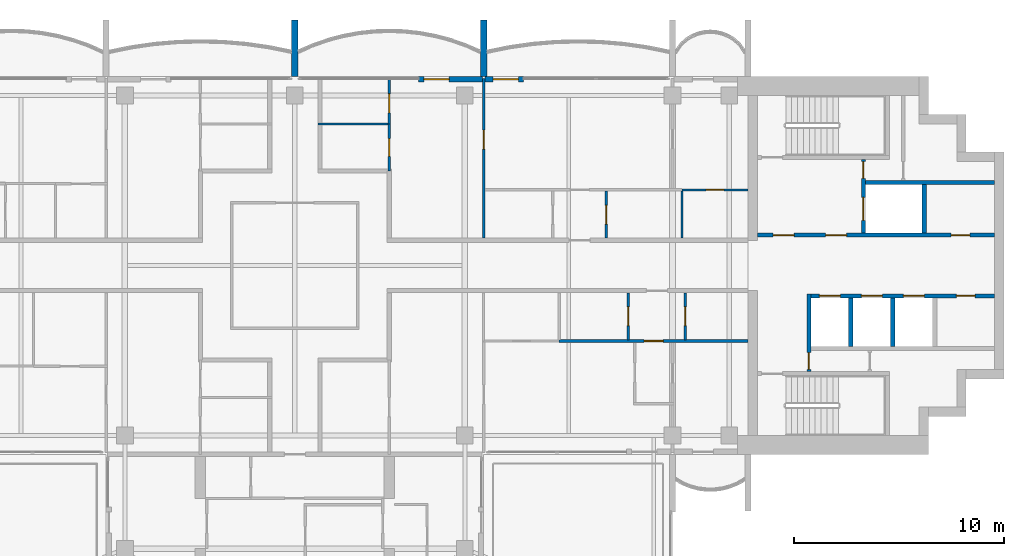
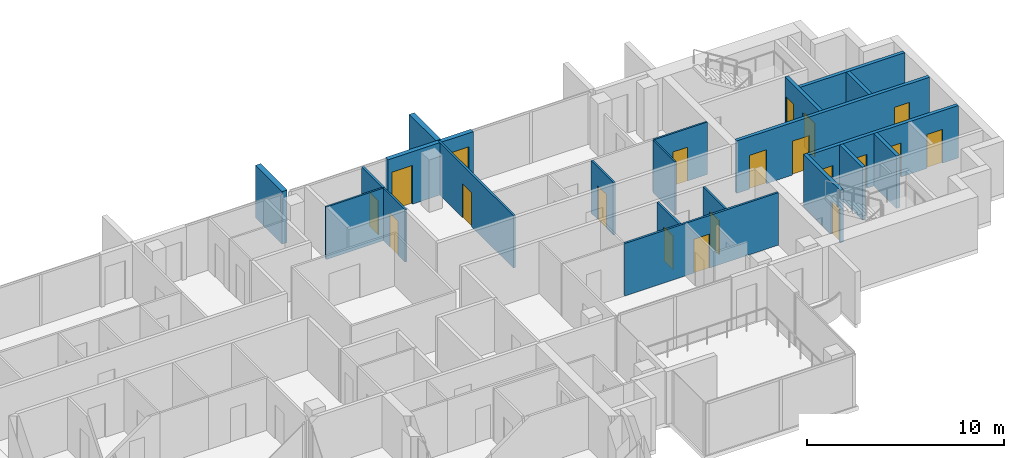
# One storey, part 11 of 16: 22 walls, 20 doors, 20 openings.
"""IFC4 building model written with IfcOpenShell, lengths in metres."""

from ifc_helpers import new_model, si_unit, direction, frame, frame_2d, origin, place, context, subcontext, project, spatial, rectangle, extrude, material, layer, layer_set, type_object, element, fill, save


model = new_model("IFC4")

# Units and contexts
model_context = context("Model", 3, precision=1e-05, world=origin(), true_north=direction((0.0, 1.0)))
body_context = subcontext(model_context, "Body", "Model", "MODEL_VIEW")
ifc_project = project(units=[si_unit("LENGTHUNIT", "METRE"), si_unit("AREAUNIT", "SQUARE_METRE"), si_unit("VOLUMEUNIT", "CUBIC_METRE"), si_unit("PLANEANGLEUNIT", "RADIAN"), si_unit("MASSUNIT", "GRAM", prefix="KILO")], contexts=[model_context])

# Site, building, storey
site_placement = place(None, origin())
site = spatial("IfcSite", under=ifc_project, at=site_placement, CompositionType="ELEMENT")
building_placement = place(site_placement, origin())
building = spatial("IfcBuilding", under=site, at=building_placement, Name="Perihelion Cross Residences", CompositionType="ELEMENT")
storey_placement = place(building_placement, frame((0.0, 0.0, 257.0)))
storey = spatial("IfcBuildingStorey", under=building, at=storey_placement, Name="L65", CompositionType="ELEMENT", Elevation=257.0)

# Wall, opening, door
ifc_material_1 = material(Name="Concrete C30/37, bronze-clad", Category="concrete")
ifc_layer_1 = layer(ifc_material_1, 0.25)
ifc_layer_set_1 = layer_set([ifc_layer_1], Name="Bronze-clad pier wall 250")
wall_type_1 = type_object("IfcWallType", Name="Bronze-clad pier wall 250", PredefinedType="SOLIDWALL", material=ifc_layer_set_1)
wall_1_placement = place(storey_placement, frame((10.89990234375, 8.875, 0.0), z_axis=(0.0, 0.0, 1.0), x_axis=(-1.0, 0.0, 0.0)))
wall_1 = element("IfcWall", 1, at=wall_1_placement, inside=storey, type_object=wall_type_1, Name="Wall FW1 L65 east side north bay 2 pier", PredefinedType="SOLIDWALL", context=body_context, shape_type="SweptSolid", body=[
    extrude(rectangle(XDim=1.83984375, YDim=0.25, at=frame_2d((0.919921875, 0.0))), origin(), (0.0, 0.0, 1.0), 3.25),
])
opening_1_placement = place(wall_1_placement, frame((0.25, 0.0, 0.0)))
opening_1 = element("IfcOpeningElement", 2, at=opening_1_placement, cuts=wall_1, Name="Opening L65.E02", PredefinedType="OPENING", context=body_context, shape_type="SweptSolid", body=[
    extrude(rectangle(XDim=1.199951171875, YDim=2.39990234375, at=frame_2d((0.60009765625, 1.199951171875))), frame((0.0, 0.135009765625, 0.0), z_axis=(0.0, -1.0, 0.0), x_axis=(1.0, 0.0, 0.0)), (0.0, 0.0, 1.0), 0.27001953125),
])
ifc_material_2 = material(Name="Bronze anodised aluminium, glazed", Category="aluminium")
door_type_1 = type_object("IfcDoorType", Name="Balcony door 1200 x 2400", OperationType="NOTDEFINED", PredefinedType="DOOR", material=ifc_material_2)
door_1_placement = place(opening_1_placement, origin())
door_1 = element("IfcDoor", 3, at=door_1_placement, inside=storey, type_object=door_type_1, Name="Door L65.E02 east side north bay 2", OperationType="SINGLE_SWING_RIGHT", OverallHeight=2.39990234375, OverallWidth=1.199951171875, PredefinedType="DOOR", context=body_context, shape_type="SweptSolid", body=[
    extrude(rectangle(XDim=1.199951171875, YDim=2.39990234375, at=frame_2d((0.60009765625, 1.199951171875))), frame((0.0, 0.02490234375, 0.0), z_axis=(0.0, -1.0, 0.0), x_axis=(1.0, 0.0, 0.0)), (0.0, 0.0, 1.0), 0.050048828125),
])
fill(opening_1, door_1)

wall_2_placement = place(storey_placement, frame((8.93994140625, 8.875, 0.0), z_axis=(0.0, 0.0, 1.0), x_axis=(-1.0, 0.0, 0.0)))
wall_2 = element("IfcWall", 4, at=wall_2_placement, inside=storey, type_object=wall_type_1, Name="Wall FW1 L65 north side east bay 1 pier", PredefinedType="SOLIDWALL", context=body_context, shape_type="SweptSolid", body=[
    extrude(rectangle(XDim=3.0400390625, YDim=0.25, at=frame_2d((1.52001953125, 0.0))), origin(), (0.0, 0.0, 1.0), 3.25),
])
opening_2_placement = place(wall_2_placement, frame((1.590087890625, 0.0, 0.0)))
opening_2 = element("IfcOpeningElement", 5, at=opening_2_placement, cuts=wall_2, Name="Opening L65.E03", PredefinedType="OPENING", context=body_context, shape_type="SweptSolid", body=[
    extrude(rectangle(XDim=1.199951171875, YDim=2.39990234375, at=frame_2d((0.60009765625, 1.199951171875))), frame((0.0, 0.135009765625, 0.0), z_axis=(0.0, -1.0, 0.0), x_axis=(1.0, 0.0, 0.0)), (0.0, 0.0, 1.0), 0.27001953125),
])
door_2_placement = place(opening_2_placement, origin())
door_2 = element("IfcDoor", 6, at=door_2_placement, inside=storey, type_object=door_type_1, Name="Door L65.E03 north side east bay 1", OperationType="SINGLE_SWING_LEFT", OverallHeight=2.39990234375, OverallWidth=1.199951171875, PredefinedType="DOOR", context=body_context, shape_type="SweptSolid", body=[
    extrude(rectangle(XDim=1.199951171875, YDim=2.39990234375, at=frame_2d((0.60009765625, 1.199951171875))), frame((0.0, 0.02490234375, 0.0), z_axis=(0.0, -1.0, 0.0), x_axis=(1.0, 0.0, 0.0)), (0.0, 0.0, 1.0), 0.050048828125),
])
fill(opening_2, door_2)

ifc_material_3 = material(Name="Concrete C50/60", Category="concrete")
ifc_layer_2 = layer(ifc_material_3, 0.199951171875)
ifc_layer_set_2 = layer_set([ifc_layer_2], Name="Lobby wall 200")
wall_type_2 = type_object("IfcWallType", Name="Lobby wall 200", PredefinedType="SOLIDWALL", material=ifc_layer_set_2)
wall_3_placement = place(storey_placement, frame((24.5, -5.050048828125, 0.0), z_axis=(0.0, 0.0, 1.0), x_axis=(0.0, 1.0, 0.0)))
wall_3 = element("IfcWall", 7, at=wall_3_placement, inside=storey, type_object=wall_type_2, Name="East core lobby wall", PredefinedType="SOLIDWALL", context=body_context, shape_type="SweptSolid", body=[
    extrude(rectangle(XDim=3.699951171875, YDim=0.199951171875, at=frame_2d((1.85009765625, 0.0))), origin(), (0.0, 0.0, 1.0), 3.25),
])
opening_3_placement = place(wall_3_placement, frame((0.10009765625, 0.0, 0.0)))
opening_3 = element("IfcOpeningElement", 8, at=opening_3_placement, cuts=wall_3, Name="Opening L65.C08", PredefinedType="OPENING", context=body_context, shape_type="SweptSolid", body=[
    extrude(rectangle(XDim=0.800048828125, YDim=2.10009765625, at=frame_2d((0.39990234375, 1.050048828125))), frame((0.0, 0.10986328125, 0.0), z_axis=(0.0, -1.0, 0.0), x_axis=(1.0, 0.0, 0.0)), (0.0, 0.0, 1.0), 0.219970703125),
])
ifc_material_4 = material(Name="Steel, powder coated", Category="steel")
door_type_2 = type_object("IfcDoorType", Name="Riser door 800", OperationType="SINGLE_SWING_LEFT", PredefinedType="DOOR", material=ifc_material_4)
door_3_placement = place(opening_3_placement, origin())
door_3 = element("IfcDoor", 9, at=door_3_placement, inside=storey, type_object=door_type_2, Name="East core riser door", OperationType="SINGLE_SWING_LEFT", OverallHeight=2.10009765625, OverallWidth=0.800048828125, PredefinedType="DOOR", context=body_context, shape_type="SweptSolid", body=[
    extrude(rectangle(XDim=0.800048828125, YDim=2.10009765625, at=frame_2d((0.39990234375, 1.050048828125))), frame((0.0, 0.02490234375, 0.0), z_axis=(0.0, -1.0, 0.0), x_axis=(1.0, 0.0, 0.0)), (0.0, 0.0, 1.0), 0.050048828125),
])
fill(opening_3, door_3)

ifc_material_5 = material(Name="Plasterboard partition")
ifc_layer_3 = layer(ifc_material_5, 0.1201171875)
ifc_layer_set_3 = layer_set([ifc_layer_3], Name="Partition wall 120")
wall_type_3 = type_object("IfcWallType", Name="Partition wall 120", PredefinedType="PARTITIONING", material=ifc_layer_set_3)
wall_4_placement = place(storey_placement, frame((9.0, 1.300048828125, 0.0), z_axis=(0.0, 0.0, 1.0), x_axis=(0.0, 1.0, 0.0)))
wall_4 = element("IfcWall", 10, at=wall_4_placement, inside=storey, type_object=wall_type_3, Name="Partition L65 W024", PredefinedType="PARTITIONING", context=body_context, shape_type="SweptSolid", body=[
    extrude(rectangle(XDim=7.619873046875, YDim=0.1201171875, at=frame_2d((3.81005859375, 0.0))), origin(), (0.0, 0.0, 1.0), 3.25),
])
opening_4_placement = place(wall_4_placement, frame((4.25, 0.0, 0.0)))
opening_4 = element("IfcOpeningElement", 11, at=opening_4_placement, cuts=wall_4, Name="Opening L65.A04", PredefinedType="OPENING", context=body_context, shape_type="SweptSolid", body=[
    extrude(rectangle(XDim=0.89990234375, YDim=2.10009765625, at=frame_2d((0.449951171875, 1.050048828125))), frame((0.0, 0.070068359375, 0.0), z_axis=(0.0, -1.0, 0.0), x_axis=(1.0, 0.0, 0.0)), (0.0, 0.0, 1.0), 0.14013671875),
])
ifc_material_6 = material(Name="Timber door leaf", Category="wood")
door_type_3 = type_object("IfcDoorType", Name="Interior room door 900 x 2100", OperationType="SINGLE_SWING_LEFT", PredefinedType="DOOR", material=ifc_material_6)
door_4_placement = place(opening_4_placement, origin())
door_4 = element("IfcDoor", 12, at=door_4_placement, inside=storey, type_object=door_type_3, Name="Door L65.A04", OperationType="SINGLE_SWING_RIGHT", OverallHeight=2.10009765625, OverallWidth=0.89990234375, PredefinedType="DOOR", context=body_context, shape_type="SweptSolid", body=[
    extrude(rectangle(XDim=0.89990234375, YDim=2.10009765625, at=frame_2d((0.449951171875, 1.050048828125))), frame((0.0, 0.02490234375, 0.0), z_axis=(0.0, -1.0, 0.0), x_axis=(1.0, 0.0, 0.0)), (0.0, 0.0, 1.0), 0.050048828125),
])
fill(opening_4, door_4)

wall_5_placement = place(storey_placement, frame((14.85009765625, 3.5400390625, 0.0), z_axis=(0.0, 0.0, 1.0), x_axis=(0.0, -1.0, 0.0)))
wall_5 = element("IfcWall", 13, at=wall_5_placement, inside=storey, type_object=wall_type_3, Name="Partition L65 W025", PredefinedType="PARTITIONING", context=body_context, shape_type="SweptSolid", body=[
    extrude(rectangle(XDim=2.239990234375, YDim=0.1201171875, at=frame_2d((1.1201171875, 0.0))), origin(), (0.0, 0.0, 1.0), 3.25),
])
opening_5_placement = place(wall_5_placement, frame((0.669921875, 0.0, 0.0)))
opening_5 = element("IfcOpeningElement", 14, at=opening_5_placement, cuts=wall_5, Name="Opening L65.A09", PredefinedType="OPENING", context=body_context, shape_type="SweptSolid", body=[
    extrude(rectangle(XDim=0.89990234375, YDim=2.10009765625, at=frame_2d((0.449951171875, 1.050048828125))), frame((0.0, 0.070068359375, 0.0), z_axis=(0.0, -1.0, 0.0), x_axis=(1.0, 0.0, 0.0)), (0.0, 0.0, 1.0), 0.14013671875),
])
door_5_placement = place(opening_5_placement, origin())
door_5 = element("IfcDoor", 15, at=door_5_placement, inside=storey, type_object=door_type_3, Name="Door L65.A09", OperationType="SINGLE_SWING_LEFT", OverallHeight=2.10009765625, OverallWidth=0.89990234375, PredefinedType="DOOR", context=body_context, shape_type="SweptSolid", body=[
    extrude(rectangle(XDim=0.89990234375, YDim=2.10009765625, at=frame_2d((0.449951171875, 1.050048828125))), frame((0.0, 0.02490234375, 0.0), z_axis=(0.0, -1.0, 0.0), x_axis=(1.0, 0.0, 0.0)), (0.0, 0.0, 1.0), 0.050048828125),
])
fill(opening_5, door_5)

wall_6_placement = place(storey_placement, frame((4.5, 6.75, 0.0), z_axis=(0.0, 0.0, 1.0), x_axis=(0.0, 1.0, 0.0)))
wall_6 = element("IfcWall", 16, at=wall_6_placement, inside=storey, type_object=wall_type_3, Name="Partition L65 W030", PredefinedType="PARTITIONING", context=body_context, shape_type="SweptSolid", body=[
    extrude(rectangle(XDim=2.169921875, YDim=0.1201171875, at=frame_2d((1.0849609375, 0.0))), origin(), (0.0, 0.0, 1.0), 3.25),
])
opening_6_placement = place(wall_6_placement, frame((0.52490234375, 0.0, 0.0)))
opening_6 = element("IfcOpeningElement", 17, at=opening_6_placement, cuts=wall_6, Name="Opening L65.A06", PredefinedType="OPENING", context=body_context, shape_type="SweptSolid", body=[
    extrude(rectangle(XDim=0.89990234375, YDim=2.10009765625, at=frame_2d((0.449951171875, 1.050048828125))), frame((0.0, 0.070068359375, 0.0), z_axis=(0.0, -1.0, 0.0), x_axis=(1.0, 0.0, 0.0)), (0.0, 0.0, 1.0), 0.14013671875),
])
door_6_placement = place(opening_6_placement, origin())
door_6 = element("IfcDoor", 18, at=door_6_placement, inside=storey, type_object=door_type_3, Name="Door L65.A06", OperationType="SINGLE_SWING_RIGHT", OverallHeight=2.10009765625, OverallWidth=0.89990234375, PredefinedType="DOOR", context=body_context, shape_type="SweptSolid", body=[
    extrude(rectangle(XDim=0.89990234375, YDim=2.10009765625, at=frame_2d((0.449951171875, 1.050048828125))), frame((0.0, 0.02490234375, 0.0), z_axis=(0.0, -1.0, 0.0), x_axis=(1.0, 0.0, 0.0)), (0.0, 0.0, 1.0), 0.050048828125),
])
fill(opening_6, door_6)

wall_7_placement = place(storey_placement, frame((15.89990234375, -1.300048828125, 0.0), z_axis=(0.0, 0.0, 1.0), x_axis=(0.0, -1.0, 0.0)))
wall_7 = element("IfcWall", 19, at=wall_7_placement, inside=storey, type_object=wall_type_3, Name="Partition L65 W035", PredefinedType="PARTITIONING", context=body_context, shape_type="SweptSolid", body=[
    extrude(rectangle(XDim=2.239990234375, YDim=0.1201171875, at=frame_2d((1.1201171875, 0.0))), origin(), (0.0, 0.0, 1.0), 3.25),
])
opening_7_placement = place(wall_7_placement, frame((0.669921875, 0.0, 0.0)))
opening_7 = element("IfcOpeningElement", 20, at=opening_7_placement, cuts=wall_7, Name="Opening L65.A12", PredefinedType="OPENING", context=body_context, shape_type="SweptSolid", body=[
    extrude(rectangle(XDim=0.89990234375, YDim=2.10009765625, at=frame_2d((0.449951171875, 1.050048828125))), frame((0.0, 0.070068359375, 0.0), z_axis=(0.0, -1.0, 0.0), x_axis=(1.0, 0.0, 0.0)), (0.0, 0.0, 1.0), 0.14013671875),
])
door_7_placement = place(opening_7_placement, origin())
door_7 = element("IfcDoor", 21, at=door_7_placement, inside=storey, type_object=door_type_3, Name="Door L65.A12", OperationType="SINGLE_SWING_LEFT", OverallHeight=2.10009765625, OverallWidth=0.89990234375, PredefinedType="DOOR", context=body_context, shape_type="SweptSolid", body=[
    extrude(rectangle(XDim=0.89990234375, YDim=2.10009765625, at=frame_2d((0.449951171875, 1.050048828125))), frame((0.0, 0.02490234375, 0.0), z_axis=(0.0, -1.0, 0.0), x_axis=(1.0, 0.0, 0.0)), (0.0, 0.0, 1.0), 0.050048828125),
])
fill(opening_7, door_7)

wall_8_placement = place(storey_placement, frame((21.60009765625, -3.60009765625, 0.0), z_axis=(0.0, 0.0, 1.0), x_axis=(-1.0, 0.0, 0.0)))
wall_8 = element("IfcWall", 22, at=wall_8_placement, inside=storey, type_object=wall_type_3, Name="Partition L65 W036", PredefinedType="PARTITIONING", context=body_context, shape_type="SweptSolid", body=[
    extrude(rectangle(XDim=9.0, YDim=0.1201171875, at=frame_2d((4.5, 0.0))), origin(), (0.0, 0.0, 1.0), 3.25),
])
opening_8_placement = place(wall_8_placement, frame((4.050048828125, 0.0, 0.0)))
opening_8 = element("IfcOpeningElement", 23, at=opening_8_placement, cuts=wall_8, Name="Opening L65.A10", PredefinedType="OPENING", context=body_context, shape_type="SweptSolid", body=[
    extrude(rectangle(XDim=0.89990234375, YDim=2.10009765625, at=frame_2d((0.449951171875, 1.050048828125))), frame((0.0, 0.070068359375, 0.0), z_axis=(0.0, -1.0, 0.0), x_axis=(1.0, 0.0, 0.0)), (0.0, 0.0, 1.0), 0.14013671875),
])
door_8_placement = place(opening_8_placement, origin())
door_8 = element("IfcDoor", 24, at=door_8_placement, inside=storey, type_object=door_type_3, Name="Door L65.A10", OperationType="SINGLE_SWING_RIGHT", OverallHeight=2.10009765625, OverallWidth=0.89990234375, PredefinedType="DOOR", context=body_context, shape_type="SweptSolid", body=[
    extrude(rectangle(XDim=0.89990234375, YDim=2.10009765625, at=frame_2d((0.449951171875, 1.050048828125))), frame((0.0, 0.02490234375, 0.0), z_axis=(0.0, -1.0, 0.0), x_axis=(1.0, 0.0, 0.0)), (0.0, 0.0, 1.0), 0.050048828125),
])
fill(opening_8, door_8)

wall_9_placement = place(storey_placement, frame((18.60009765625, -1.300048828125, 0.0), z_axis=(0.0, 0.0, 1.0), x_axis=(0.0, -1.0, 0.0)))
wall_9 = element("IfcWall", 25, at=wall_9_placement, inside=storey, type_object=wall_type_3, Name="Partition L65 W037", PredefinedType="PARTITIONING", context=body_context, shape_type="SweptSolid", body=[
    extrude(rectangle(XDim=2.239990234375, YDim=0.1201171875, at=frame_2d((1.1201171875, 0.0))), origin(), (0.0, 0.0, 1.0), 3.25),
])
opening_9_placement = place(wall_9_placement, frame((0.669921875, 0.0, 0.0)))
opening_9 = element("IfcOpeningElement", 26, at=opening_9_placement, cuts=wall_9, Name="Opening L65.A11", PredefinedType="OPENING", context=body_context, shape_type="SweptSolid", body=[
    extrude(rectangle(XDim=0.89990234375, YDim=2.10009765625, at=frame_2d((0.449951171875, 1.050048828125))), frame((0.0, 0.070068359375, 0.0), z_axis=(0.0, -1.0, 0.0), x_axis=(1.0, 0.0, 0.0)), (0.0, 0.0, 1.0), 0.14013671875),
])
door_9_placement = place(opening_9_placement, origin())
door_9 = element("IfcDoor", 27, at=door_9_placement, inside=storey, type_object=door_type_3, Name="Door L65.A11", OperationType="SINGLE_SWING_LEFT", OverallHeight=2.10009765625, OverallWidth=0.89990234375, PredefinedType="DOOR", context=body_context, shape_type="SweptSolid", body=[
    extrude(rectangle(XDim=0.89990234375, YDim=2.10009765625, at=frame_2d((0.449951171875, 1.050048828125))), frame((0.0, 0.02490234375, 0.0), z_axis=(0.0, -1.0, 0.0), x_axis=(1.0, 0.0, 0.0)), (0.0, 0.0, 1.0), 0.050048828125),
])
fill(opening_9, door_9)

# Walls
ifc_material_7 = material(Name="Precast concrete C50/60", Category="concrete")
ifc_layer_4 = layer(ifc_material_7, 0.300048828125)
ifc_layer_set_4 = layer_set([ifc_layer_4], Name="Precast concrete C50/60 blade wall 300")
wall_type_4 = type_object("IfcWallType", Name="Precast concrete C50/60 blade wall 300", PredefinedType="SOLIDWALL", material=ifc_layer_set_4)
for number, where, z_axis, x_axis, name in (
    (28, (0.0, 9.0, 0.0), (0.0, 0.0, 1.0), (0.0, 1.0, 0.0), "Wall BL1 L65 no. 9"),
    (29, (9.0, 9.0, 0.0), (0.0, 0.0, 1.0), (0.0, 1.0, 0.0), "Wall BL1 L65 no. 16"),
):
    element("IfcWall", number, at=place(storey_placement, frame(where, z_axis=z_axis, x_axis=x_axis)), inside=storey, type_object=wall_type_4, Name=name, PredefinedType="SOLIDWALL", context=body_context, shape_type="SweptSolid", body=[
        extrude(rectangle(XDim=2.699951171875, YDim=0.300048828125, at=frame_2d((1.35009765625, 0.0))), origin(), (0.0, 0.0, 1.0), 3.25),
    ])

# Wall, openings, doors
ifc_material_8 = material(Name="Concrete C50/60", Category="concrete")
ifc_layer_5 = layer(ifc_material_8, 0.199951171875)
ifc_layer_set_5 = layer_set([ifc_layer_5], Name="Shaft wall 200")
wall_type_5 = type_object("IfcWallType", Name="Shaft wall 200", PredefinedType="SOLIDWALL", material=ifc_layer_set_5)
wall_10_placement = place(storey_placement, frame((22.050048828125, 1.449951171875, 0.0), z_axis=(0.0, 0.0, 1.0), x_axis=(1.0, 0.0, 0.0)))
wall_10 = element("IfcWall", 30, at=wall_10_placement, inside=storey, type_object=wall_type_5, Name="East core shaft wall", PredefinedType="SOLIDWALL", context=body_context, shape_type="SweptSolid", body=[
    extrude(rectangle(XDim=11.300048828125, YDim=0.199951171875, at=frame_2d((5.64990234375, 0.0))), origin(), (0.0, 0.0, 1.0), 3.25),
])
opening_10_placement = place(wall_10_placement, frame((0.75, 0.0, 0.0)))
opening_10 = element("IfcOpeningElement", 31, at=opening_10_placement, cuts=wall_10, Name="Opening L65.C07", PredefinedType="OPENING", context=body_context, shape_type="SweptSolid", body=[
    extrude(rectangle(XDim=1.0, YDim=2.10009765625, at=frame_2d((0.5, 1.050048828125))), frame((0.0, 0.10986328125, 0.0), z_axis=(0.0, -1.0, 0.0), x_axis=(1.0, 0.0, 0.0)), (0.0, 0.0, 1.0), 0.219970703125),
])
opening_11_placement = place(wall_10_placement, frame((3.25, 0.0, 0.0)))
opening_11 = element("IfcOpeningElement", 32, at=opening_11_placement, cuts=wall_10, Name="Opening L65.C09", PredefinedType="OPENING", context=body_context, shape_type="SweptSolid", body=[
    extrude(rectangle(XDim=1.0, YDim=2.10009765625, at=frame_2d((0.5, 1.050048828125))), frame((0.0, 0.10986328125, 0.0), z_axis=(0.0, -1.0, 0.0), x_axis=(1.0, 0.0, 0.0)), (0.0, 0.0, 1.0), 0.219970703125),
])
opening_12_placement = place(wall_10_placement, frame((9.22509765625, 0.0, 0.0)))
opening_12 = element("IfcOpeningElement", 33, at=opening_12_placement, cuts=wall_10, Name="Opening L65.C13", PredefinedType="OPENING", context=body_context, shape_type="SweptSolid", body=[
    extrude(rectangle(XDim=0.89990234375, YDim=2.10009765625, at=frame_2d((0.449951171875, 1.050048828125))), frame((0.0, 0.10986328125, 0.0), z_axis=(0.0, -1.0, 0.0), x_axis=(1.0, 0.0, 0.0)), (0.0, 0.0, 1.0), 0.219970703125),
])
ifc_material_9 = material(Name="Steel, powder coated", Category="steel")
door_type_4 = type_object("IfcDoorType", Name="Lobby door 1000", OperationType="SINGLE_SWING_LEFT", PredefinedType="DOOR", material=ifc_material_9)
door_10_placement = place(opening_10_placement, origin())
door_10 = element("IfcDoor", 34, at=door_10_placement, inside=storey, type_object=door_type_4, Name="East core firefighting lobby door", OperationType="SINGLE_SWING_LEFT", OverallHeight=2.10009765625, OverallWidth=1.0, PredefinedType="DOOR", context=body_context, shape_type="SweptSolid", body=[
    extrude(rectangle(XDim=1.0, YDim=2.10009765625, at=frame_2d((0.5, 1.050048828125))), frame((0.0, 0.02490234375, 0.0), z_axis=(0.0, -1.0, 0.0), x_axis=(1.0, 0.0, 0.0)), (0.0, 0.0, 1.0), 0.050048828125),
])
fill(opening_10, door_10)
door_11_placement = place(opening_11_placement, origin())
door_11 = element("IfcDoor", 35, at=door_11_placement, inside=storey, type_object=door_type_4, Name="East core firefighting lobby door", OperationType="SINGLE_SWING_LEFT", OverallHeight=2.10009765625, OverallWidth=1.0, PredefinedType="DOOR", context=body_context, shape_type="SweptSolid", body=[
    extrude(rectangle(XDim=1.0, YDim=2.10009765625, at=frame_2d((0.5, 1.050048828125))), frame((0.0, 0.02490234375, 0.0), z_axis=(0.0, -1.0, 0.0), x_axis=(1.0, 0.0, 0.0)), (0.0, 0.0, 1.0), 0.050048828125),
])
fill(opening_11, door_11)
ifc_material_10 = material(Name="Steel, powder coated", Category="steel")
door_type_5 = type_object("IfcDoorType", Name="Service room door 900", OperationType="SINGLE_SWING_LEFT", PredefinedType="DOOR", material=ifc_material_10)
door_12_placement = place(opening_12_placement, origin())
door_12 = element("IfcDoor", 36, at=door_12_placement, inside=storey, type_object=door_type_5, Name="East core service room door", OperationType="SINGLE_SWING_LEFT", OverallHeight=2.10009765625, OverallWidth=0.89990234375, PredefinedType="DOOR", context=body_context, shape_type="SweptSolid", body=[
    extrude(rectangle(XDim=0.89990234375, YDim=2.10009765625, at=frame_2d((0.449951171875, 1.050048828125))), frame((0.0, 0.02490234375, 0.0), z_axis=(0.0, -1.0, 0.0), x_axis=(1.0, 0.0, 0.0)), (0.0, 0.0, 1.0), 0.050048828125),
])
fill(opening_12, door_12)

wall_11_placement = place(storey_placement, frame((24.60009765625, -1.449951171875, 0.0), z_axis=(0.0, 0.0, 1.0), x_axis=(1.0, 0.0, 0.0)))
wall_11 = element("IfcWall", 37, at=wall_11_placement, inside=storey, type_object=wall_type_5, Name="East core shaft wall", PredefinedType="SOLIDWALL", context=body_context, shape_type="SweptSolid", body=[
    extrude(rectangle(XDim=8.75, YDim=0.199951171875, at=frame_2d((4.375, 0.0))), origin(), (0.0, 0.0, 1.0), 3.25),
])
opening_13_placement = place(wall_11_placement, frame((0.39990234375, 0.0, 0.0)))
opening_13 = element("IfcOpeningElement", 38, at=opening_13_placement, cuts=wall_11, Name="Opening L65.C01", PredefinedType="OPENING", context=body_context, shape_type="SweptSolid", body=[
    extrude(rectangle(XDim=1.0, YDim=2.10009765625, at=frame_2d((0.5, 1.050048828125))), frame((0.0, 0.10986328125, 0.0), z_axis=(0.0, -1.0, 0.0), x_axis=(1.0, 0.0, 0.0)), (0.0, 0.0, 1.0), 0.219970703125),
])
opening_14_placement = place(wall_11_placement, frame((2.39990234375, 0.0, 0.0)))
opening_14 = element("IfcOpeningElement", 39, at=opening_14_placement, cuts=wall_11, Name="Opening L65.C03", PredefinedType="OPENING", context=body_context, shape_type="SweptSolid", body=[
    extrude(rectangle(XDim=1.0, YDim=2.10009765625, at=frame_2d((0.5, 1.050048828125))), frame((0.0, 0.10986328125, 0.0), z_axis=(0.0, -1.0, 0.0), x_axis=(1.0, 0.0, 0.0)), (0.0, 0.0, 1.0), 0.219970703125),
])
opening_15_placement = place(wall_11_placement, frame((4.39990234375, 0.0, 0.0)))
opening_15 = element("IfcOpeningElement", 40, at=opening_15_placement, cuts=wall_11, Name="Opening L65.C04", PredefinedType="OPENING", context=body_context, shape_type="SweptSolid", body=[
    extrude(rectangle(XDim=1.0, YDim=2.10009765625, at=frame_2d((0.5, 1.050048828125))), frame((0.0, 0.10986328125, 0.0), z_axis=(0.0, -1.0, 0.0), x_axis=(1.0, 0.0, 0.0)), (0.0, 0.0, 1.0), 0.219970703125),
])
opening_16_placement = place(wall_11_placement, frame((6.925048828125, 0.0, 0.0)))
opening_16 = element("IfcOpeningElement", 41, at=opening_16_placement, cuts=wall_11, Name="Opening L65.C14", PredefinedType="OPENING", context=body_context, shape_type="SweptSolid", body=[
    extrude(rectangle(XDim=0.89990234375, YDim=2.10009765625, at=frame_2d((0.449951171875, 1.050048828125))), frame((0.0, 0.10986328125, 0.0), z_axis=(0.0, -1.0, 0.0), x_axis=(1.0, 0.0, 0.0)), (0.0, 0.0, 1.0), 0.219970703125),
])
ifc_material_11 = material(Name="Stainless steel", Category="steel")
door_type_6 = type_object("IfcDoorType", Name="Landing door 1000", OperationType="DOUBLE_DOOR_SLIDING", PredefinedType="DOOR", material=ifc_material_11)
door_13_placement = place(opening_13_placement, origin())
door_13 = element("IfcDoor", 42, at=door_13_placement, inside=storey, type_object=door_type_6, Name="Landing door, East core high-rise lift 1", OperationType="DOUBLE_DOOR_SLIDING", OverallHeight=2.10009765625, OverallWidth=1.0, PredefinedType="DOOR", context=body_context, shape_type="SweptSolid", body=[
    extrude(rectangle(XDim=1.0, YDim=2.10009765625, at=frame_2d((0.5, 1.050048828125))), frame((0.0, 0.02490234375, 0.0), z_axis=(0.0, -1.0, 0.0), x_axis=(1.0, 0.0, 0.0)), (0.0, 0.0, 1.0), 0.050048828125),
])
fill(opening_13, door_13)
door_14_placement = place(opening_14_placement, origin())
door_14 = element("IfcDoor", 43, at=door_14_placement, inside=storey, type_object=door_type_6, Name="Landing door, East core high-rise lift 2", OperationType="DOUBLE_DOOR_SLIDING", OverallHeight=2.10009765625, OverallWidth=1.0, PredefinedType="DOOR", context=body_context, shape_type="SweptSolid", body=[
    extrude(rectangle(XDim=1.0, YDim=2.10009765625, at=frame_2d((0.5, 1.050048828125))), frame((0.0, 0.02490234375, 0.0), z_axis=(0.0, -1.0, 0.0), x_axis=(1.0, 0.0, 0.0)), (0.0, 0.0, 1.0), 0.050048828125),
])
fill(opening_14, door_14)
door_15_placement = place(opening_15_placement, origin())
door_15 = element("IfcDoor", 44, at=door_15_placement, inside=storey, type_object=door_type_6, Name="Landing door, East core high-rise lift 3", OperationType="DOUBLE_DOOR_SLIDING", OverallHeight=2.10009765625, OverallWidth=1.0, PredefinedType="DOOR", context=body_context, shape_type="SweptSolid", body=[
    extrude(rectangle(XDim=1.0, YDim=2.10009765625, at=frame_2d((0.5, 1.050048828125))), frame((0.0, 0.02490234375, 0.0), z_axis=(0.0, -1.0, 0.0), x_axis=(1.0, 0.0, 0.0)), (0.0, 0.0, 1.0), 0.050048828125),
])
fill(opening_15, door_15)
door_16_placement = place(opening_16_placement, origin())
door_16 = element("IfcDoor", 45, at=door_16_placement, inside=storey, type_object=door_type_5, Name="East core service room door", OperationType="SINGLE_SWING_LEFT", OverallHeight=2.10009765625, OverallWidth=0.89990234375, PredefinedType="DOOR", context=body_context, shape_type="SweptSolid", body=[
    extrude(rectangle(XDim=0.89990234375, YDim=2.10009765625, at=frame_2d((0.449951171875, 1.050048828125))), frame((0.0, 0.02490234375, 0.0), z_axis=(0.0, -1.0, 0.0), x_axis=(1.0, 0.0, 0.0)), (0.0, 0.0, 1.0), 0.050048828125),
])
fill(opening_16, door_16)

# Wall
wall_12_placement = place(storey_placement, frame((27.199951171875, 3.949951171875, 0.0), z_axis=(0.0, 0.0, 1.0), x_axis=(1.0, 0.0, 0.0)))
element("IfcWall", 46, at=wall_12_placement, inside=storey, type_object=wall_type_5, Name="East core shaft wall", PredefinedType="SOLIDWALL", context=body_context, shape_type="SweptSolid", body=[
    extrude(rectangle(XDim=6.150146484375, YDim=0.199951171875, at=frame_2d((3.0751953125, 0.0))), origin(), (0.0, 0.0, 1.0), 3.25),
])

# Wall, openings, doors
wall_13_placement = place(storey_placement, frame((27.10009765625, 1.550048828125, 0.0), z_axis=(0.0, 0.0, 1.0), x_axis=(0.0, 1.0, 0.0)))
wall_13 = element("IfcWall", 47, at=wall_13_placement, inside=storey, type_object=wall_type_5, Name="East core shaft wall", PredefinedType="SOLIDWALL", context=body_context, shape_type="SweptSolid", body=[
    extrude(rectangle(XDim=3.5, YDim=0.199951171875, at=frame_2d((1.75, 0.0))), origin(), (0.0, 0.0, 1.0), 3.25),
])
opening_17_placement = place(wall_13_placement, frame((0.60009765625, 0.0, 0.0)))
opening_17 = element("IfcOpeningElement", 48, at=opening_17_placement, cuts=wall_13, Name="Opening L65.C02", PredefinedType="OPENING", context=body_context, shape_type="SweptSolid", body=[
    extrude(rectangle(XDim=1.10009765625, YDim=2.10009765625, at=frame_2d((0.550048828125, 1.050048828125))), frame((0.0, 0.10986328125, 0.0), z_axis=(0.0, -1.0, 0.0), x_axis=(1.0, 0.0, 0.0)), (0.0, 0.0, 1.0), 0.219970703125),
])
opening_18_placement = place(wall_13_placement, frame((2.60009765625, 0.0, 0.0)))
opening_18 = element("IfcOpeningElement", 49, at=opening_18_placement, cuts=wall_13, Name="Opening L65.C10", PredefinedType="OPENING", context=body_context, shape_type="SweptSolid", body=[
    extrude(rectangle(XDim=0.800048828125, YDim=2.10009765625, at=frame_2d((0.39990234375, 1.050048828125))), frame((0.0, 0.10986328125, 0.0), z_axis=(0.0, -1.0, 0.0), x_axis=(1.0, 0.0, 0.0)), (0.0, 0.0, 1.0), 0.219970703125),
])
ifc_material_12 = material(Name="Stainless steel", Category="steel")
door_type_7 = type_object("IfcDoorType", Name="Landing door, firefighting lift 1100", OperationType="DOUBLE_DOOR_SLIDING", PredefinedType="DOOR", material=ifc_material_12)
door_17_placement = place(opening_17_placement, origin())
door_17 = element("IfcDoor", 50, at=door_17_placement, inside=storey, type_object=door_type_7, Name="Landing door, East core firefighting and service lift", OperationType="DOUBLE_DOOR_SLIDING", OverallHeight=2.10009765625, OverallWidth=1.10009765625, PredefinedType="DOOR", context=body_context, shape_type="SweptSolid", body=[
    extrude(rectangle(XDim=1.10009765625, YDim=2.10009765625, at=frame_2d((0.550048828125, 1.050048828125))), frame((0.0, 0.02490234375, 0.0), z_axis=(0.0, -1.0, 0.0), x_axis=(1.0, 0.0, 0.0)), (0.0, 0.0, 1.0), 0.050048828125),
])
fill(opening_17, door_17)
door_18_placement = place(opening_18_placement, origin())
door_18 = element("IfcDoor", 51, at=door_18_placement, inside=storey, type_object=door_type_2, Name="East core riser door", OperationType="SINGLE_SWING_LEFT", OverallHeight=2.10009765625, OverallWidth=0.800048828125, PredefinedType="DOOR", context=body_context, shape_type="SweptSolid", body=[
    extrude(rectangle(XDim=0.800048828125, YDim=2.10009765625, at=frame_2d((0.39990234375, 1.050048828125))), frame((0.0, 0.02490234375, 0.0), z_axis=(0.0, -1.0, 0.0), x_axis=(1.0, 0.0, 0.0)), (0.0, 0.0, 1.0), 0.050048828125),
])
fill(opening_18, door_18)

# Walls
for number, where, z_axis, x_axis, name in (
    (52, (30.0, 1.550048828125, 0.0), (0.0, 0.0, 1.0), (0.0, 1.0, 0.0), "East core shaft wall"),
    (53, (26.5, -3.85009765625, 0.0), (0.0, 0.0, 1.0), (0.0, 1.0, 0.0), "East core shaft wall"),
    (54, (28.5, -3.85009765625, 0.0), (0.0, 0.0, 1.0), (0.0, 1.0, 0.0), "East core shaft wall"),
):
    element("IfcWall", number, at=place(storey_placement, frame(where, z_axis=z_axis, x_axis=x_axis)), inside=storey, type_object=wall_type_5, Name=name, PredefinedType="SOLIDWALL", context=body_context, shape_type="SweptSolid", body=[
        extrude(rectangle(XDim=2.300048828125, YDim=0.199951171875, at=frame_2d((1.14990234375, 0.0))), origin(), (0.0, 0.0, 1.0), 3.25),
    ])
ifc_material_13 = material(Name="Plasterboard partition")
ifc_layer_6 = layer(ifc_material_13, 0.10009765625)
ifc_layer_set_6 = layer_set([ifc_layer_6], Name="Wet room wall 100")
wall_type_6 = type_object("IfcWallType", Name="Wet room wall 100", PredefinedType="PARTITIONING", material=ifc_layer_set_6)
wall_14_placement = place(storey_placement, frame((18.449951171875, 3.5400390625, 0.0), z_axis=(0.0, 0.0, 1.0), x_axis=(0.0, -1.0, 0.0)))
element("IfcWall", 55, at=wall_14_placement, inside=storey, type_object=wall_type_6, Name="Partition L65 W026", PredefinedType="PARTITIONING", context=body_context, shape_type="SweptSolid", body=[
    extrude(rectangle(XDim=2.239990234375, YDim=0.10009765625, at=frame_2d((1.1201171875, 0.0))), origin(), (0.0, 0.0, 1.0), 3.25),
])

# Wall, opening, door
wall_15_placement = place(storey_placement, frame((18.449951171875, 3.60009765625, 0.0), z_axis=(0.0, 0.0, 1.0), x_axis=(1.0, 0.0, 0.0)))
wall_15 = element("IfcWall", 56, at=wall_15_placement, inside=storey, type_object=wall_type_6, Name="Partition L65 W027", PredefinedType="PARTITIONING", context=body_context, shape_type="SweptSolid", body=[
    extrude(rectangle(XDim=3.150146484375, YDim=0.10009765625, at=frame_2d((1.5751953125, 0.0))), origin(), (0.0, 0.0, 1.0), 3.25),
])
opening_19_placement = place(wall_15_placement, frame((1.14990234375, 0.0, 0.0)))
opening_19 = element("IfcOpeningElement", 57, at=opening_19_placement, cuts=wall_15, Name="Opening L65.A02", PredefinedType="OPENING", context=body_context, shape_type="SweptSolid", body=[
    extrude(rectangle(XDim=0.85009765625, YDim=2.10009765625, at=frame_2d((0.425048828125, 1.050048828125))), frame((0.0, 0.06005859375, 0.0), z_axis=(0.0, -1.0, 0.0), x_axis=(1.0, 0.0, 0.0)), (0.0, 0.0, 1.0), 0.1201171875),
])
ifc_material_14 = material(Name="Timber door leaf", Category="wood")
door_type_8 = type_object("IfcDoorType", Name="Interior bathroom door 850 x 2100", OperationType="SINGLE_SWING_LEFT", PredefinedType="DOOR", material=ifc_material_14)
door_19_placement = place(opening_19_placement, origin())
door_19 = element("IfcDoor", 58, at=door_19_placement, inside=storey, type_object=door_type_8, Name="Door L65.A02", OperationType="SINGLE_SWING_RIGHT", OverallHeight=2.10009765625, OverallWidth=0.85009765625, PredefinedType="DOOR", context=body_context, shape_type="SweptSolid", body=[
    extrude(rectangle(XDim=0.85009765625, YDim=2.10009765625, at=frame_2d((0.425048828125, 1.050048828125))), frame((0.0, 0.02490234375, 0.0), z_axis=(0.0, -1.0, 0.0), x_axis=(1.0, 0.0, 0.0)), (0.0, 0.0, 1.0), 0.050048828125),
])
fill(opening_19, door_19)

wall_16_placement = place(storey_placement, frame((4.5, 4.5, 0.0), z_axis=(0.0, 0.0, 1.0), x_axis=(0.0, 1.0, 0.0)))
wall_16 = element("IfcWall", 59, at=wall_16_placement, inside=storey, type_object=wall_type_6, Name="Partition L65 W029", PredefinedType="PARTITIONING", context=body_context, shape_type="SweptSolid", body=[
    extrude(rectangle(XDim=2.25, YDim=0.10009765625, at=frame_2d((1.125, 0.0))), origin(), (0.0, 0.0, 1.0), 3.25),
])
opening_20_placement = place(wall_16_placement, frame((0.699951171875, 0.0, 0.0)))
opening_20 = element("IfcOpeningElement", 60, at=opening_20_placement, cuts=wall_16, Name="Opening L65.A03", PredefinedType="OPENING", context=body_context, shape_type="SweptSolid", body=[
    extrude(rectangle(XDim=0.85009765625, YDim=2.10009765625, at=frame_2d((0.425048828125, 1.050048828125))), frame((0.0, 0.06005859375, 0.0), z_axis=(0.0, -1.0, 0.0), x_axis=(1.0, 0.0, 0.0)), (0.0, 0.0, 1.0), 0.1201171875),
])
door_20_placement = place(opening_20_placement, origin())
door_20 = element("IfcDoor", 61, at=door_20_placement, inside=storey, type_object=door_type_8, Name="Door L65.A03", OperationType="SINGLE_SWING_LEFT", OverallHeight=2.10009765625, OverallWidth=0.85009765625, PredefinedType="DOOR", context=body_context, shape_type="SweptSolid", body=[
    extrude(rectangle(XDim=0.85009765625, YDim=2.10009765625, at=frame_2d((0.425048828125, 1.050048828125))), frame((0.0, 0.02490234375, 0.0), z_axis=(0.0, -1.0, 0.0), x_axis=(1.0, 0.0, 0.0)), (0.0, 0.0, 1.0), 0.050048828125),
])
fill(opening_20, door_20)

# Wall
wall_17_placement = place(storey_placement, frame((1.10009765625, 6.75, 0.0), z_axis=(0.0, 0.0, 1.0), x_axis=(1.0, 0.0, 0.0)))
element("IfcWall", 62, at=wall_17_placement, inside=storey, type_object=wall_type_6, Name="Partition L65 W031", PredefinedType="PARTITIONING", context=body_context, shape_type="SweptSolid", body=[
    extrude(rectangle(XDim=3.4599609375, YDim=0.10009765625, at=frame_2d((1.72998046875, 0.0))), origin(), (0.0, 0.0, 1.0), 3.25),
])

save(model, "model.ifc")
